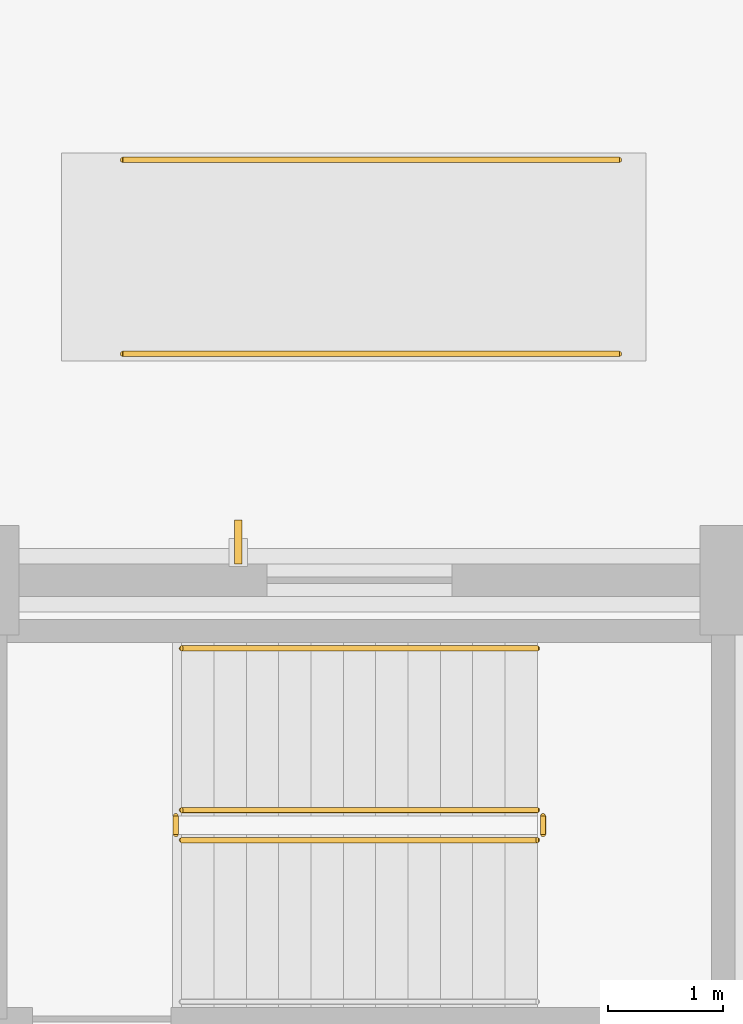
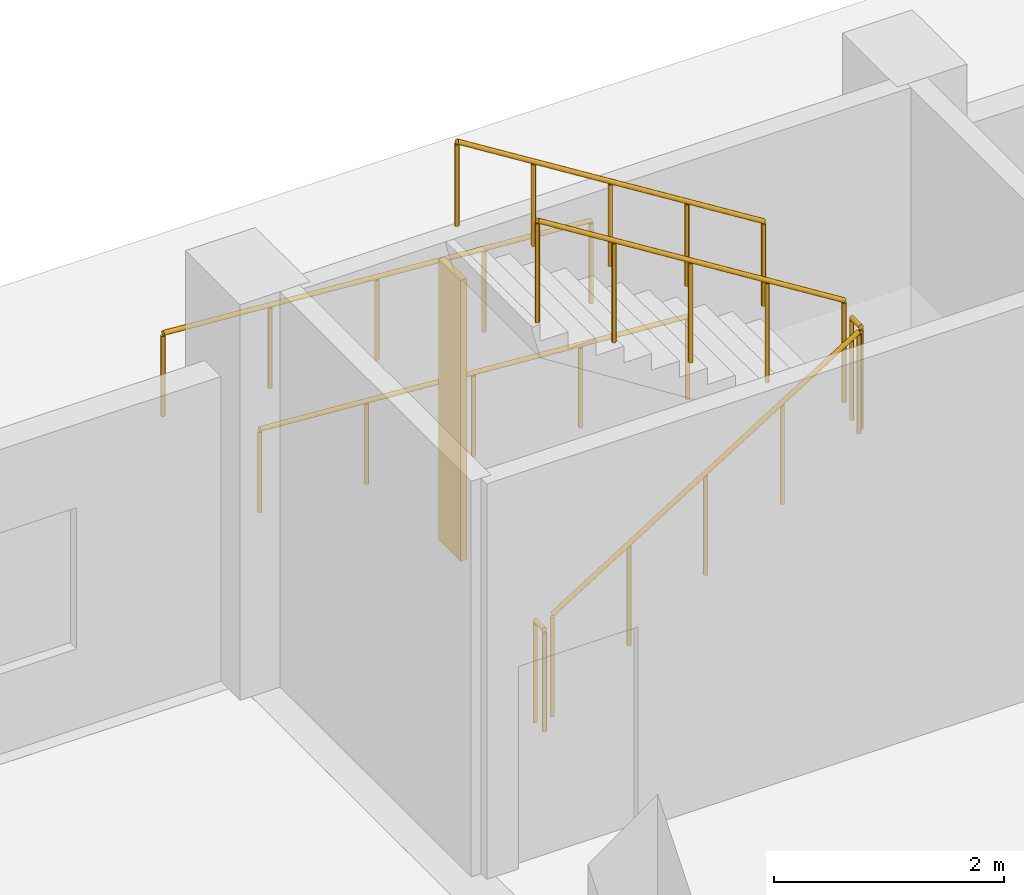
# One storey, part 68 of 69: 7 railings, 1 shading device.
"""IFC4 building model written with IfcOpenShell, lengths in metres."""

from ifc_helpers import new_model, si_unit, direction, frame, origin, origin_2d, place, context, subcontext, project, spatial, rectangle, circle, extrude, material, material_profile, profile_set, type_object, element, save


model = new_model("IFC4")

# Units and contexts
model_context = context("Model", 3, precision=1e-05, world=origin(), true_north=direction((0.0, 1.0)))
body_context = subcontext(model_context, "Body", "Model", "MODEL_VIEW")
ifc_project = project(units=[si_unit("LENGTHUNIT", "METRE"), si_unit("AREAUNIT", "SQUARE_METRE"), si_unit("VOLUMEUNIT", "CUBIC_METRE"), si_unit("PLANEANGLEUNIT", "RADIAN"), si_unit("MASSUNIT", "GRAM", prefix="KILO")], contexts=[model_context])

# Site, building, storey
site_placement = place(None, origin())
site = spatial("IfcSite", under=ifc_project, at=site_placement, CompositionType="ELEMENT")
building_placement = place(site_placement, origin())
building = spatial("IfcBuilding", under=site, at=building_placement, Name="Ciguamira Faculty of Natural Sciences", CompositionType="ELEMENT")
storey_placement = place(building_placement, origin())
storey = spatial("IfcBuildingStorey", under=building, at=storey_placement, Name="L00", CompositionType="ELEMENT", Elevation=0.0)

# Railings
ifc_material_1 = material(Name="Stainless steel balustrade", Category="steel")
railing_type_1 = type_object("IfcRailingType", Name="Guardrail_GR01", PredefinedType="GUARDRAIL", material=ifc_material_1)
railing_1_placement = place(storey_placement, frame((158.06005859375, 21.75, 0.175048828125)))
element("IfcRailing", 1, at=railing_1_placement, inside=storey, type_object=railing_type_1, Name="L00 ST-L2 stair guard 1", PredefinedType="GUARDRAIL", context=body_context, shape_type="SweptSolid", body=[
    extrude(circle(Radius=0.02392578125, at=origin_2d()), frame((0.0, 0.0, 1.076171875), z_axis=(0.847979421464, 0.0, 0.530029150871), x_axis=(0.0, 1.0, 0.0)), (0.0, 0.0, 1.0), 3.632080078125),
    extrude(circle(Radius=0.02099609375, at=origin_2d()), origin(), (0.0, 0.0, 1.0), 1.052001953125),
    extrude(circle(Radius=0.02099609375, at=origin_2d()), frame((0.77001953125, 0.0, 0.481201171875)), (0.0, 0.0, 1.0), 1.052001953125),
    extrude(circle(Radius=0.02099609375, at=origin_2d()), frame((1.5400390625, 0.0, 0.96240234375)), (0.0, 0.0, 1.0), 1.052001953125),
    extrude(circle(Radius=0.02099609375, at=origin_2d()), frame((2.309814453125, 0.0, 1.44384765625)), (0.0, 0.0, 1.0), 1.052001953125),
    extrude(circle(Radius=0.02099609375, at=origin_2d()), frame((3.079833984375, 0.0, 1.925048828125)), (0.0, 0.0, 1.0), 1.052001953125),
])
railing_2_placement = place(storey_placement, frame((161.18994140625, 21.800048828125, 2.10009765625)))
element("IfcRailing", 2, at=railing_2_placement, inside=storey, type_object=railing_type_1, Name="L00 ST-L2 stair guard 2", PredefinedType="GUARDRAIL", context=body_context, shape_type="SweptSolid", body=[
    extrude(circle(Radius=0.02392578125, at=origin_2d()), frame((0.0, 0.0, 1.076171875), z_axis=(0.0, 1.0, 0.0), x_axis=(-1.0, 0.0, 0.0)), (0.0, 0.0, 1.0), 0.159912109375),
    extrude(circle(Radius=0.02099609375, at=origin_2d()), origin(), (0.0, 0.0, 1.0), 1.052001953125),
    extrude(circle(Radius=0.02099609375, at=origin_2d()), frame((0.0, 0.159912109375, 0.0)), (0.0, 0.0, 1.0), 1.052001953125),
])
railing_3_placement = place(storey_placement, frame((161.139892578125, 22.010009765625, 2.27490234375)))
element("IfcRailing", 3, at=railing_3_placement, inside=storey, type_object=railing_type_1, Name="L00 ST-L2 stair guard 3", PredefinedType="GUARDRAIL", context=body_context, shape_type="SweptSolid", body=[
    extrude(circle(Radius=0.02392578125, at=origin_2d()), frame((0.0, 0.0, 1.076171875), z_axis=(-0.847979421464, 0.0, 0.530029150871), x_axis=(0.0, -1.0, 0.0)), (0.0, 0.0, 1.0), 3.632080078125),
    extrude(circle(Radius=0.02099609375, at=origin_2d()), origin(), (0.0, 0.0, 1.0), 1.052001953125),
    extrude(circle(Radius=0.02099609375, at=origin_2d()), frame((-0.77001953125, 0.0, 0.481201171875)), (0.0, 0.0, 1.0), 1.052001953125),
    extrude(circle(Radius=0.02099609375, at=origin_2d()), frame((-1.5400390625, 0.0, 0.96240234375)), (0.0, 0.0, 1.0), 1.052001953125),
    extrude(circle(Radius=0.02099609375, at=origin_2d()), frame((-2.309814453125, 0.0, 1.44384765625)), (0.0, 0.0, 1.0), 1.052001953125),
    extrude(circle(Radius=0.02099609375, at=origin_2d()), frame((-3.079833984375, 0.0, 1.925048828125)), (0.0, 0.0, 1.0), 1.052001953125),
])
railing_4_placement = place(storey_placement, frame((158.010009765625, 21.800048828125, 0.0)))
element("IfcRailing", 4, at=railing_4_placement, inside=storey, type_object=railing_type_1, Name="L00 ST-L2 stair guard 4", PredefinedType="GUARDRAIL", context=body_context, shape_type="SweptSolid", body=[
    extrude(circle(Radius=0.02392578125, at=origin_2d()), frame((0.0, 0.0, 1.076171875), z_axis=(0.0, 1.0, 0.0), x_axis=(-1.0, 0.0, 0.0)), (0.0, 0.0, 1.0), 0.159912109375),
    extrude(circle(Radius=0.02099609375, at=origin_2d()), origin(), (0.0, 0.0, 1.0), 1.052001953125),
    extrude(circle(Radius=0.02099609375, at=origin_2d()), frame((0.0, 0.159912109375, 0.0)), (0.0, 0.0, 1.0), 1.052001953125),
])
ifc_material_2 = material(Name="Stainless steel handrail", Category="steel")
railing_type_2 = type_object("IfcRailingType", Name="Handrail_HR01", PredefinedType="HANDRAIL", material=ifc_material_2)
for number, where, name in (
    (5, (161.85009765625, 27.639892578125, -0.340087890625), "East Pavilion Promenade Accessible Ramp handrail 1"),
    (6, (161.85009765625, 25.9599609375, -0.340087890625), "East Pavilion Promenade Accessible Ramp handrail 2"),
):
    element("IfcRailing", number, at=place(storey_placement, frame(where)), inside=storey, type_object=railing_type_2, Name=name, PredefinedType="HANDRAIL", context=body_context, shape_type="SweptSolid", body=[
        extrude(circle(Radius=0.02392578125, at=origin_2d()), frame((0.0, 0.0, 0.8759765625), z_axis=(-0.997442864568, 0.0, 0.071468398063), x_axis=(0.0, -1.0, 0.0)), (0.0, 0.0, 1.0), 4.31103515625),
        extrude(circle(Radius=0.02099609375, at=origin_2d()), origin(), (0.0, 0.0, 1.0), 0.851806640625),
        extrude(circle(Radius=0.02099609375, at=origin_2d()), frame((-1.074951171875, 0.0, 0.0771484375)), (0.0, 0.0, 1.0), 0.851806640625),
        extrude(circle(Radius=0.02099609375, at=origin_2d()), frame((-2.14990234375, 0.0, 0.154052734375)), (0.0, 0.0, 1.0), 0.851806640625),
        extrude(circle(Radius=0.02099609375, at=origin_2d()), frame((-3.22509765625, 0.0, 0.23095703125)), (0.0, 0.0, 1.0), 0.851806640625),
        extrude(circle(Radius=0.02099609375, at=origin_2d()), frame((-4.300048828125, 0.0, 0.30810546875)), (0.0, 0.0, 1.0), 0.851806640625),
    ])
railing_5_placement = place(storey_placement, frame((161.139892578125, 23.409912109375, 2.449951171875)))
element("IfcRailing", 7, at=railing_5_placement, inside=storey, type_object=railing_type_2, Name="L00 ST-L2 stair handrail 2", PredefinedType="HANDRAIL", context=body_context, shape_type="SweptSolid", body=[
    extrude(circle(Radius=0.02392578125, at=origin_2d()), frame((0.0, 0.0, 0.89111328125), z_axis=(-0.847979421464, 0.0, 0.530029150871), x_axis=(0.0, -1.0, 0.0)), (0.0, 0.0, 1.0), 3.632080078125),
    extrude(circle(Radius=0.02099609375, at=origin_2d()), origin(), (0.0, 0.0, 1.0), 0.866943359375),
    extrude(circle(Radius=0.02099609375, at=origin_2d()), frame((-0.77001953125, 0.0, 0.481201171875)), (0.0, 0.0, 1.0), 0.866943359375),
    extrude(circle(Radius=0.02099609375, at=origin_2d()), frame((-1.5400390625, 0.0, 0.96240234375)), (0.0, 0.0, 1.0), 0.866943359375),
    extrude(circle(Radius=0.02099609375, at=origin_2d()), frame((-2.309814453125, 0.0, 1.44384765625)), (0.0, 0.0, 1.0), 0.866943359375),
    extrude(circle(Radius=0.02099609375, at=origin_2d()), frame((-3.079833984375, 0.0, 1.925048828125)), (0.0, 0.0, 1.0), 0.866943359375),
])

# Shading device
ifc_material_3 = material(Name="Anodized bronze sunshade fin")
ifc_material_profile = material_profile(ifc_material_3, rectangle(XDim=0.06494140625, YDim=0.3798828125, at=origin_2d()), Name="BRZ-FIN-65X380")
ifc_profile_set = profile_set([ifc_material_profile], Name="Anodized bronze sunshade fin")
shading_device_type = type_object("IfcShadingDeviceType", Name="SunFin_SF01", PredefinedType="USERDEFINED", material=ifc_profile_set)
shading_device_placement = place(storey_placement, frame((158.550048828125, 24.330078125, 0.199951171875), z_axis=(0.0, 0.0, 1.0), x_axis=(1.0, 0.0, 0.0)))
element("IfcShadingDevice", 8, at=shading_device_placement, inside=storey, type_object=shading_device_type, Name="L00 bronze vertical sunshade fin 0004", ObjectType="SUNSHADE FIN", PredefinedType="USERDEFINED", context=body_context, shape_type="SweptSolid", body=[
    extrude(rectangle(XDim=0.06494140625, YDim=0.3798828125, at=origin_2d()), origin(), (0.0, 0.0, 1.0), 2.985107421875),
])

save(model, "model.ifc")
